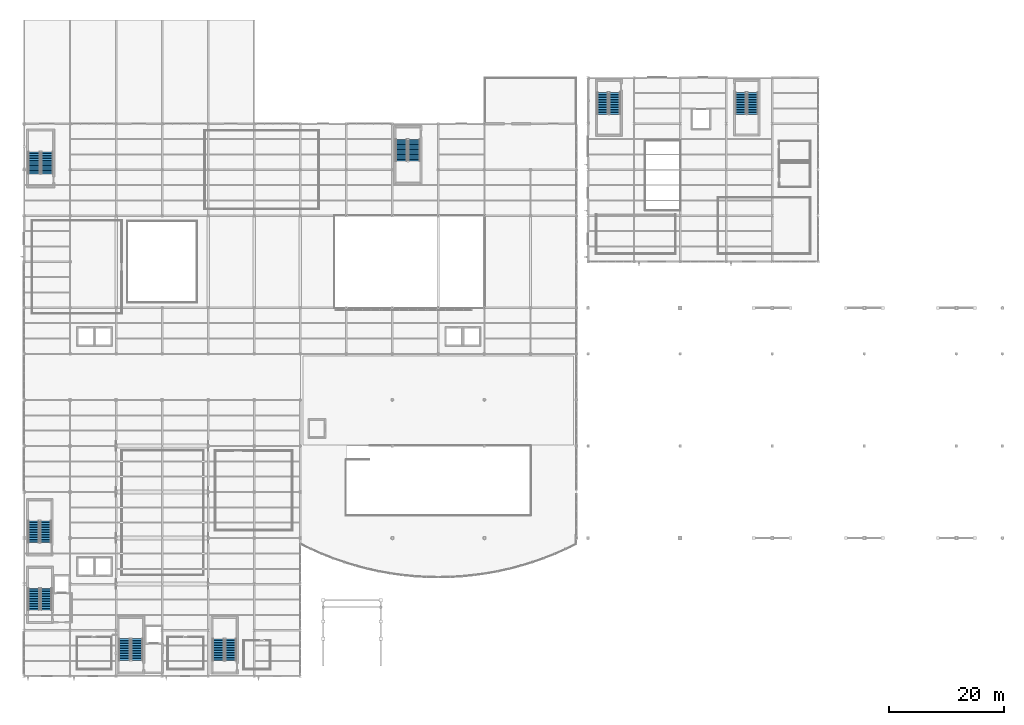
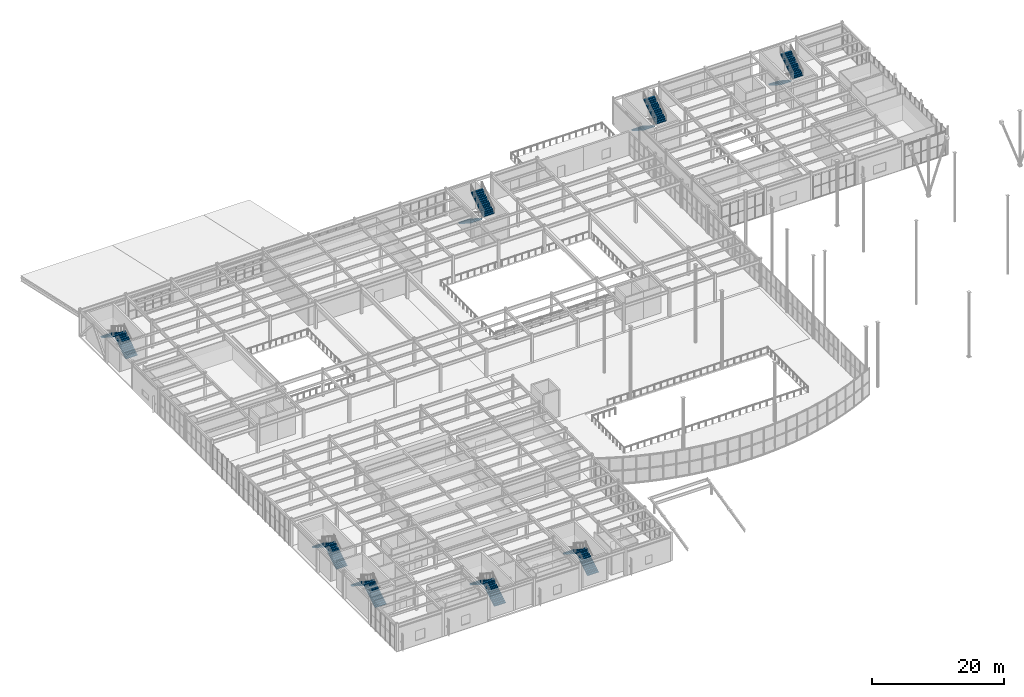
# One storey, part 61 of 77: 16 stair flights, 8 elements without a shape of their own.
"""IFC4 building model written with IfcOpenShell, lengths in metres."""

from ifc_helpers import new_model, si_unit, direction, frame, origin, place, context, subcontext, project, spatial, polyline, outline, extrude, material, type_object, element, aggregate, save


model = new_model("IFC4")

# Units and contexts
model_context = context("Model", 3, precision=1e-05, world=origin(), true_north=direction((0.0, 1.0)))
body_context = subcontext(model_context, "Body", "Model", "MODEL_VIEW")
ifc_project = project(units=[si_unit("LENGTHUNIT", "METRE"), si_unit("AREAUNIT", "SQUARE_METRE"), si_unit("VOLUMEUNIT", "CUBIC_METRE"), si_unit("PLANEANGLEUNIT", "RADIAN"), si_unit("MASSUNIT", "GRAM", prefix="KILO")], contexts=[model_context])

# Site, building, storey
site_placement = place(None, origin())
site = spatial("IfcSite", under=ifc_project, at=site_placement, CompositionType="ELEMENT")
building_placement = place(site_placement, origin())
building = spatial("IfcBuilding", under=site, at=building_placement, Name="Drelvath Fold Interchange", CompositionType="ELEMENT")
storey_placement = place(building_placement, frame((0.0, 0.0, 6.0)))
storey = spatial("IfcBuildingStorey", under=building, at=storey_placement, Name="L01", CompositionType="ELEMENT", Elevation=6.0)

# Stair, stair flights
ifc_material = material(Name="Concrete f'c 35 MPa (5000 psi)", Category="concrete")
stair_type_1 = type_object("IfcStairType", Name="STR-01", PredefinedType="HALF_TURN_STAIR", material=ifc_material)
stair_1_placement = place(storey_placement, origin())
stair_1 = element("IfcStair", 1, at=stair_1_placement, inside=storey, type_object=stair_type_1, Name="L01 Protected Exit Stair ST-01", PredefinedType="HALF_TURN_STAIR")
stair_flight_type_1 = type_object("IfcStairFlightType", Name="STF-01", PredefinedType="STRAIGHT", material=ifc_material)
stair_flight_1_placement = place(storey_placement, frame((7.844970703125, 14.5, 0.0), z_axis=(0.0, 0.0, 1.0), x_axis=(0.0, 1.0, 0.0)))
stair_flight_1 = element("IfcStairFlight", 2, at=stair_flight_1_placement, type_object=stair_flight_type_1, Name="ST-01 flight 1", NumberOfRisers=14, NumberOfTreads=13, PredefinedType="STRAIGHT", RiserHeight=0.185714286, TreadLength=0.29, context=body_context, shape_type="SweptSolid", body=[
    extrude(outline(polyline([(0.0, 0.0), (0.0, 0.185791015625), (0.2900390625, 0.185791015625), (0.2900390625, 0.371337890625), (0.580078125, 0.371337890625), (0.580078125, 0.55712890625), (0.8701171875, 0.55712890625), (0.8701171875, 0.742919921875), (1.159912109375, 0.742919921875), (1.159912109375, 0.928466796875), (1.449951171875, 0.928466796875), (1.449951171875, 1.1142578125), (1.739990234375, 1.1142578125), (1.739990234375, 1.300048828125), (2.030029296875, 1.300048828125), (2.030029296875, 1.485595703125), (2.320068359375, 1.485595703125), (2.320068359375, 1.67138671875), (2.610107421875, 1.67138671875), (2.610107421875, 1.857177734375), (2.89990234375, 1.857177734375), (2.89990234375, 2.04296875), (3.18994140625, 2.04296875), (3.18994140625, 2.228515625), (3.47998046875, 2.228515625), (3.47998046875, 2.414306640625), (3.77001953125, 2.414306640625), (3.77001953125, 2.60009765625), (3.77001953125, 2.236328125), (0.278076171875, 0.0), (0.0, 0.0)])), frame((0.0, 0.96484375, 0.0), z_axis=(0.0, -1.0, 0.0), x_axis=(1.0, 0.0, 0.0)), (0.0, 0.0, 1.0), 1.929931640625),
])
stair_flight_2_placement = place(storey_placement, frame((5.715087890625, 18.27001953125, 2.60009765625), z_axis=(0.0, 0.0, 1.0), x_axis=(0.0, -1.0, 0.0)))
stair_flight_2 = element("IfcStairFlight", 3, at=stair_flight_2_placement, type_object=stair_flight_type_1, Name="ST-01 flight 2", NumberOfRisers=14, NumberOfTreads=13, PredefinedType="STRAIGHT", RiserHeight=0.185714286, TreadLength=0.29, context=body_context, shape_type="SweptSolid", body=[
    extrude(outline(polyline([(0.0, 0.0), (0.0, 0.185791015625), (0.2900390625, 0.185791015625), (0.2900390625, 0.371337890625), (0.580078125, 0.371337890625), (0.580078125, 0.55712890625), (0.8701171875, 0.55712890625), (0.8701171875, 0.742919921875), (1.159912109375, 0.742919921875), (1.159912109375, 0.928466796875), (1.449951171875, 0.928466796875), (1.449951171875, 1.1142578125), (1.739990234375, 1.1142578125), (1.739990234375, 1.300048828125), (2.030029296875, 1.300048828125), (2.030029296875, 1.485595703125), (2.320068359375, 1.485595703125), (2.320068359375, 1.67138671875), (2.610107421875, 1.67138671875), (2.610107421875, 1.857177734375), (2.89990234375, 1.857177734375), (2.89990234375, 2.04296875), (3.18994140625, 2.04296875), (3.18994140625, 2.228515625), (3.47998046875, 2.228515625), (3.47998046875, 2.414306640625), (3.77001953125, 2.414306640625), (3.77001953125, 2.60009765625), (3.77001953125, 2.236328125), (0.278076171875, 0.0), (0.0, 0.0)])), frame((0.0, 0.96484375, 0.0), z_axis=(0.0, -1.0, 0.0), x_axis=(1.0, 0.0, 0.0)), (0.0, 0.0, 1.0), 1.929931640625),
])
aggregate(stair_1, [stair_flight_1, stair_flight_2])

stair_type_2 = type_object("IfcStairType", Name="STR-02", PredefinedType="HALF_TURN_STAIR", material=ifc_material)
stair_2_placement = place(storey_placement, origin())
stair_2 = element("IfcStair", 4, at=stair_2_placement, inside=storey, type_object=stair_type_2, Name="L01 Protected Exit Stair ST-02", PredefinedType="HALF_TURN_STAIR")
stair_flight_type_2 = type_object("IfcStairFlightType", Name="STF-02", PredefinedType="STRAIGHT", material=ifc_material)
stair_flight_3_placement = place(storey_placement, frame((7.784912109375, 26.199951171875, 0.0), z_axis=(0.0, 0.0, 1.0), x_axis=(0.0, 1.0, 0.0)))
stair_flight_3 = element("IfcStairFlight", 5, at=stair_flight_3_placement, type_object=stair_flight_type_2, Name="ST-02 flight 1", NumberOfRisers=14, NumberOfTreads=13, PredefinedType="STRAIGHT", RiserHeight=0.185714286, TreadLength=0.29, context=body_context, shape_type="SweptSolid", body=[
    extrude(outline(polyline([(0.0, 0.0), (0.0, 0.185791015625), (0.2900390625, 0.185791015625), (0.2900390625, 0.371337890625), (0.580078125, 0.371337890625), (0.580078125, 0.55712890625), (0.8701171875, 0.55712890625), (0.8701171875, 0.742919921875), (1.159912109375, 0.742919921875), (1.159912109375, 0.928466796875), (1.449951171875, 0.928466796875), (1.449951171875, 1.1142578125), (1.739990234375, 1.1142578125), (1.739990234375, 1.300048828125), (2.030029296875, 1.300048828125), (2.030029296875, 1.485595703125), (2.320068359375, 1.485595703125), (2.320068359375, 1.67138671875), (2.610107421875, 1.67138671875), (2.610107421875, 1.857177734375), (2.89990234375, 1.857177734375), (2.89990234375, 2.04296875), (3.18994140625, 2.04296875), (3.18994140625, 2.228515625), (3.47998046875, 2.228515625), (3.47998046875, 2.414306640625), (3.77001953125, 2.414306640625), (3.77001953125, 2.60009765625), (3.77001953125, 2.236328125), (0.278076171875, 0.0), (0.0, 0.0)])), frame((0.0, 0.94482421875, 0.0), z_axis=(0.0, -1.0, 0.0), x_axis=(1.0, 0.0, 0.0)), (0.0, 0.0, 1.0), 1.889892578125),
])
stair_flight_4_placement = place(storey_placement, frame((5.695068359375, 29.969970703125, 2.60009765625), z_axis=(0.0, 0.0, 1.0), x_axis=(0.0, -1.0, 0.0)))
stair_flight_4 = element("IfcStairFlight", 6, at=stair_flight_4_placement, type_object=stair_flight_type_2, Name="ST-02 flight 2", NumberOfRisers=14, NumberOfTreads=13, PredefinedType="STRAIGHT", RiserHeight=0.185714286, TreadLength=0.29, context=body_context, shape_type="SweptSolid", body=[
    extrude(outline(polyline([(0.0, 0.0), (0.0, 0.185791015625), (0.2900390625, 0.185791015625), (0.2900390625, 0.371337890625), (0.580078125, 0.371337890625), (0.580078125, 0.55712890625), (0.8701171875, 0.55712890625), (0.8701171875, 0.742919921875), (1.159912109375, 0.742919921875), (1.159912109375, 0.928466796875), (1.449951171875, 0.928466796875), (1.449951171875, 1.1142578125), (1.739990234375, 1.1142578125), (1.739990234375, 1.300048828125), (2.030029296875, 1.300048828125), (2.030029296875, 1.485595703125), (2.320068359375, 1.485595703125), (2.320068359375, 1.67138671875), (2.610107421875, 1.67138671875), (2.610107421875, 1.857177734375), (2.89990234375, 1.857177734375), (2.89990234375, 2.04296875), (3.18994140625, 2.04296875), (3.18994140625, 2.228515625), (3.47998046875, 2.228515625), (3.47998046875, 2.414306640625), (3.77001953125, 2.414306640625), (3.77001953125, 2.60009765625), (3.77001953125, 2.236328125), (0.278076171875, 0.0), (0.0, 0.0)])), frame((0.0, 0.94482421875, 0.0), z_axis=(0.0, -1.0, 0.0), x_axis=(1.0, 0.0, 0.0)), (0.0, 0.0, 1.0), 1.889892578125),
])
aggregate(stair_2, [stair_flight_3, stair_flight_4])

stair_type_3 = type_object("IfcStairType", Name="STR-03", PredefinedType="HALF_TURN_STAIR", material=ifc_material)
stair_3_placement = place(storey_placement, origin())
stair_3 = element("IfcStair", 7, at=stair_3_placement, inside=storey, type_object=stair_type_3, Name="L01 Protected Exit Stair ST-03", PredefinedType="HALF_TURN_STAIR")
stair_flight_type_3 = type_object("IfcStairFlightType", Name="STF-03", PredefinedType="STRAIGHT", material=ifc_material)
stair_flight_5_placement = place(storey_placement, frame((23.669921875, 5.75, 0.0), z_axis=(0.0, 0.0, 1.0), x_axis=(0.0, 1.0, 0.0)))
stair_flight_5 = element("IfcStairFlight", 8, at=stair_flight_5_placement, type_object=stair_flight_type_3, Name="ST-03 flight 1", NumberOfRisers=14, NumberOfTreads=13, PredefinedType="STRAIGHT", RiserHeight=0.185714286, TreadLength=0.29, context=body_context, shape_type="SweptSolid", body=[
    extrude(outline(polyline([(0.0, 0.0), (0.0, 0.185791015625), (0.2900390625, 0.185791015625), (0.2900390625, 0.371337890625), (0.580078125, 0.371337890625), (0.580078125, 0.55712890625), (0.8701171875, 0.55712890625), (0.8701171875, 0.742919921875), (1.159912109375, 0.742919921875), (1.159912109375, 0.928466796875), (1.449951171875, 0.928466796875), (1.449951171875, 1.1142578125), (1.739990234375, 1.1142578125), (1.739990234375, 1.300048828125), (2.030029296875, 1.300048828125), (2.030029296875, 1.485595703125), (2.320068359375, 1.485595703125), (2.320068359375, 1.67138671875), (2.610107421875, 1.67138671875), (2.610107421875, 1.857177734375), (2.89990234375, 1.857177734375), (2.89990234375, 2.04296875), (3.18994140625, 2.04296875), (3.18994140625, 2.228515625), (3.47998046875, 2.228515625), (3.47998046875, 2.414306640625), (3.77001953125, 2.414306640625), (3.77001953125, 2.60009765625), (3.77001953125, 2.236328125), (0.278076171875, 0.0), (0.0, 0.0)])), frame((0.0, 0.989990234375, 0.0), z_axis=(0.0, -1.0, 0.0), x_axis=(1.0, 0.0, 0.0)), (0.0, 0.0, 1.0), 1.97998046875),
])
stair_flight_6_placement = place(storey_placement, frame((21.489990234375, 9.52001953125, 2.60009765625), z_axis=(0.0, 0.0, 1.0), x_axis=(0.0, -1.0, 0.0)))
stair_flight_6 = element("IfcStairFlight", 9, at=stair_flight_6_placement, type_object=stair_flight_type_3, Name="ST-03 flight 2", NumberOfRisers=14, NumberOfTreads=13, PredefinedType="STRAIGHT", RiserHeight=0.185714286, TreadLength=0.29, context=body_context, shape_type="SweptSolid", body=[
    extrude(outline(polyline([(0.0, 0.0), (0.0, 0.185791015625), (0.2900390625, 0.185791015625), (0.2900390625, 0.371337890625), (0.580078125, 0.371337890625), (0.580078125, 0.55712890625), (0.8701171875, 0.55712890625), (0.8701171875, 0.742919921875), (1.159912109375, 0.742919921875), (1.159912109375, 0.928466796875), (1.449951171875, 0.928466796875), (1.449951171875, 1.1142578125), (1.739990234375, 1.1142578125), (1.739990234375, 1.300048828125), (2.030029296875, 1.300048828125), (2.030029296875, 1.485595703125), (2.320068359375, 1.485595703125), (2.320068359375, 1.67138671875), (2.610107421875, 1.67138671875), (2.610107421875, 1.857177734375), (2.89990234375, 1.857177734375), (2.89990234375, 2.04296875), (3.18994140625, 2.04296875), (3.18994140625, 2.228515625), (3.47998046875, 2.228515625), (3.47998046875, 2.414306640625), (3.77001953125, 2.414306640625), (3.77001953125, 2.60009765625), (3.77001953125, 2.236328125), (0.278076171875, 0.0), (0.0, 0.0)])), frame((0.0, 0.989990234375, 0.0), z_axis=(0.0, -1.0, 0.0), x_axis=(1.0, 0.0, 0.0)), (0.0, 0.0, 1.0), 1.97998046875),
])
aggregate(stair_3, [stair_flight_5, stair_flight_6])

stair_type_4 = type_object("IfcStairType", Name="STR-04", PredefinedType="HALF_TURN_STAIR", material=ifc_material)
stair_4_placement = place(storey_placement, origin())
stair_4 = element("IfcStair", 10, at=stair_4_placement, inside=storey, type_object=stair_type_4, Name="L01 Protected Exit Stair ST-04", PredefinedType="HALF_TURN_STAIR")
stair_flight_type_4 = type_object("IfcStairFlightType", Name="STF-04", PredefinedType="STRAIGHT", material=ifc_material)
stair_flight_7_placement = place(storey_placement, frame((39.925048828125, 5.699951171875, 0.0), z_axis=(0.0, 0.0, 1.0), x_axis=(0.0, 1.0, 0.0)))
stair_flight_7 = element("IfcStairFlight", 11, at=stair_flight_7_placement, type_object=stair_flight_type_4, Name="ST-04 flight 1", NumberOfRisers=14, NumberOfTreads=13, PredefinedType="STRAIGHT", RiserHeight=0.185714286, TreadLength=0.29, context=body_context, shape_type="SweptSolid", body=[
    extrude(outline(polyline([(0.0, 0.0), (0.0, 0.185791015625), (0.2900390625, 0.185791015625), (0.2900390625, 0.371337890625), (0.580078125, 0.371337890625), (0.580078125, 0.55712890625), (0.8701171875, 0.55712890625), (0.8701171875, 0.742919921875), (1.159912109375, 0.742919921875), (1.159912109375, 0.928466796875), (1.449951171875, 0.928466796875), (1.449951171875, 1.1142578125), (1.739990234375, 1.1142578125), (1.739990234375, 1.300048828125), (2.030029296875, 1.300048828125), (2.030029296875, 1.485595703125), (2.320068359375, 1.485595703125), (2.320068359375, 1.67138671875), (2.610107421875, 1.67138671875), (2.610107421875, 1.857177734375), (2.89990234375, 1.857177734375), (2.89990234375, 2.04296875), (3.18994140625, 2.04296875), (3.18994140625, 2.228515625), (3.47998046875, 2.228515625), (3.47998046875, 2.414306640625), (3.77001953125, 2.414306640625), (3.77001953125, 2.60009765625), (3.77001953125, 2.236328125), (0.278076171875, 0.0), (0.0, 0.0)])), frame((0.0, 0.97509765625, 0.0), z_axis=(0.0, -1.0, 0.0), x_axis=(1.0, 0.0, 0.0)), (0.0, 0.0, 1.0), 1.949951171875),
])
stair_flight_8_placement = place(storey_placement, frame((37.77490234375, 9.469970703125, 2.60009765625), z_axis=(0.0, 0.0, 1.0), x_axis=(0.0, -1.0, 0.0)))
stair_flight_8 = element("IfcStairFlight", 12, at=stair_flight_8_placement, type_object=stair_flight_type_4, Name="ST-04 flight 2", NumberOfRisers=14, NumberOfTreads=13, PredefinedType="STRAIGHT", RiserHeight=0.185714286, TreadLength=0.29, context=body_context, shape_type="SweptSolid", body=[
    extrude(outline(polyline([(0.0, 0.0), (0.0, 0.185791015625), (0.2900390625, 0.185791015625), (0.2900390625, 0.371337890625), (0.580078125, 0.371337890625), (0.580078125, 0.55712890625), (0.8701171875, 0.55712890625), (0.8701171875, 0.742919921875), (1.159912109375, 0.742919921875), (1.159912109375, 0.928466796875), (1.449951171875, 0.928466796875), (1.449951171875, 1.1142578125), (1.739990234375, 1.1142578125), (1.739990234375, 1.300048828125), (2.030029296875, 1.300048828125), (2.030029296875, 1.485595703125), (2.320068359375, 1.485595703125), (2.320068359375, 1.67138671875), (2.610107421875, 1.67138671875), (2.610107421875, 1.857177734375), (2.89990234375, 1.857177734375), (2.89990234375, 2.04296875), (3.18994140625, 2.04296875), (3.18994140625, 2.228515625), (3.47998046875, 2.228515625), (3.47998046875, 2.414306640625), (3.77001953125, 2.414306640625), (3.77001953125, 2.60009765625), (3.77001953125, 2.236328125), (0.278076171875, 0.0), (0.0, 0.0)])), frame((0.0, 0.97509765625, 0.0), z_axis=(0.0, -1.0, 0.0), x_axis=(1.0, 0.0, 0.0)), (0.0, 0.0, 1.0), 1.949951171875),
])
aggregate(stair_4, [stair_flight_7, stair_flight_8])

stair_type_5 = type_object("IfcStairType", Name="STR-05", PredefinedType="HALF_TURN_STAIR", material=ifc_material)
stair_5_placement = place(storey_placement, origin())
stair_5 = element("IfcStair", 13, at=stair_5_placement, inside=storey, type_object=stair_type_5, Name="L01 Protected Exit Stair ST-05", PredefinedType="HALF_TURN_STAIR")
stair_flight_type_5 = type_object("IfcStairFlightType", Name="STF-05", PredefinedType="STRAIGHT", material=ifc_material)
stair_flight_9_placement = place(storey_placement, frame((8.010009765625, 90.300048828125, 0.0), z_axis=(0.0, 0.0, 1.0), x_axis=(0.0, 1.0, 0.0)))
stair_flight_9 = element("IfcStairFlight", 14, at=stair_flight_9_placement, type_object=stair_flight_type_5, Name="ST-05 flight 1", NumberOfRisers=14, NumberOfTreads=13, PredefinedType="STRAIGHT", RiserHeight=0.185714286, TreadLength=0.29, context=body_context, shape_type="SweptSolid", body=[
    extrude(outline(polyline([(0.0, 0.0), (0.0, 0.185791015625), (0.2900390625, 0.185791015625), (0.2900390625, 0.371337890625), (0.580078125, 0.371337890625), (0.580078125, 0.55712890625), (0.8701171875, 0.55712890625), (0.8701171875, 0.742919921875), (1.159912109375, 0.742919921875), (1.159912109375, 0.928466796875), (1.449951171875, 0.928466796875), (1.449951171875, 1.1142578125), (1.739990234375, 1.1142578125), (1.739990234375, 1.300048828125), (2.030029296875, 1.300048828125), (2.030029296875, 1.485595703125), (2.320068359375, 1.485595703125), (2.320068359375, 1.67138671875), (2.610107421875, 1.67138671875), (2.610107421875, 1.857177734375), (2.89990234375, 1.857177734375), (2.89990234375, 2.04296875), (3.18994140625, 2.04296875), (3.18994140625, 2.228515625), (3.47998046875, 2.228515625), (3.47998046875, 2.414306640625), (3.77001953125, 2.414306640625), (3.77001953125, 2.60009765625), (3.77001953125, 2.236328125), (0.278076171875, 0.0), (0.0, 0.0)])), frame((0.0, 1.02001953125, 0.0), z_axis=(0.0, -1.0, 0.0), x_axis=(1.0, 0.0, 0.0)), (0.0, 0.0, 1.0), 2.0400390625),
])
stair_flight_10_placement = place(storey_placement, frame((5.77001953125, 94.070068359375, 2.60009765625), z_axis=(0.0, 0.0, 1.0), x_axis=(0.0, -1.0, 0.0)))
stair_flight_10 = element("IfcStairFlight", 15, at=stair_flight_10_placement, type_object=stair_flight_type_5, Name="ST-05 flight 2", NumberOfRisers=14, NumberOfTreads=13, PredefinedType="STRAIGHT", RiserHeight=0.185714286, TreadLength=0.29, context=body_context, shape_type="SweptSolid", body=[
    extrude(outline(polyline([(0.0, 0.0), (0.0, 0.185791015625), (0.2900390625, 0.185791015625), (0.2900390625, 0.371337890625), (0.580078125, 0.371337890625), (0.580078125, 0.55712890625), (0.8701171875, 0.55712890625), (0.8701171875, 0.742919921875), (1.159912109375, 0.742919921875), (1.159912109375, 0.928466796875), (1.449951171875, 0.928466796875), (1.449951171875, 1.1142578125), (1.739990234375, 1.1142578125), (1.739990234375, 1.300048828125), (2.030029296875, 1.300048828125), (2.030029296875, 1.485595703125), (2.320068359375, 1.485595703125), (2.320068359375, 1.67138671875), (2.610107421875, 1.67138671875), (2.610107421875, 1.857177734375), (2.89990234375, 1.857177734375), (2.89990234375, 2.04296875), (3.18994140625, 2.04296875), (3.18994140625, 2.228515625), (3.47998046875, 2.228515625), (3.47998046875, 2.414306640625), (3.77001953125, 2.414306640625), (3.77001953125, 2.60009765625), (3.77001953125, 2.236328125), (0.278076171875, 0.0), (0.0, 0.0)])), frame((0.0, 1.02001953125, 0.0), z_axis=(0.0, -1.0, 0.0), x_axis=(1.0, 0.0, 0.0)), (0.0, 0.0, 1.0), 2.0400390625),
])
aggregate(stair_5, [stair_flight_9, stair_flight_10])

stair_type_6 = type_object("IfcStairType", Name="STR-06", PredefinedType="HALF_TURN_STAIR", material=ifc_material)
stair_6_placement = place(storey_placement, origin())
stair_6 = element("IfcStair", 16, at=stair_6_placement, inside=storey, type_object=stair_type_6, Name="L01 Protected Exit Stair ST-06", PredefinedType="HALF_TURN_STAIR")
stair_flight_type_6 = type_object("IfcStairFlightType", Name="STF-06", PredefinedType="STRAIGHT", material=ifc_material)
stair_flight_11_placement = place(storey_placement, frame((69.60498046875, 96.25, 0.0), z_axis=(0.0, 0.0, 1.0), x_axis=(0.0, -1.0, 0.0)))
stair_flight_11 = element("IfcStairFlight", 17, at=stair_flight_11_placement, type_object=stair_flight_type_6, Name="ST-06 flight 1", NumberOfRisers=14, NumberOfTreads=13, PredefinedType="STRAIGHT", RiserHeight=0.185714286, TreadLength=0.29, context=body_context, shape_type="SweptSolid", body=[
    extrude(outline(polyline([(0.0, 0.0), (0.0, 0.185791015625), (0.2900390625, 0.185791015625), (0.2900390625, 0.371337890625), (0.580078125, 0.371337890625), (0.580078125, 0.55712890625), (0.8701171875, 0.55712890625), (0.8701171875, 0.742919921875), (1.159912109375, 0.742919921875), (1.159912109375, 0.928466796875), (1.449951171875, 0.928466796875), (1.449951171875, 1.1142578125), (1.739990234375, 1.1142578125), (1.739990234375, 1.300048828125), (2.030029296875, 1.300048828125), (2.030029296875, 1.485595703125), (2.320068359375, 1.485595703125), (2.320068359375, 1.67138671875), (2.610107421875, 1.67138671875), (2.610107421875, 1.857177734375), (2.89990234375, 1.857177734375), (2.89990234375, 2.04296875), (3.18994140625, 2.04296875), (3.18994140625, 2.228515625), (3.47998046875, 2.228515625), (3.47998046875, 2.414306640625), (3.77001953125, 2.414306640625), (3.77001953125, 2.60009765625), (3.77001953125, 2.236328125), (0.278076171875, 0.0), (0.0, 0.0)])), frame((0.0, 1.0048828125, 0.0), z_axis=(0.0, -1.0, 0.0), x_axis=(1.0, 0.0, 0.0)), (0.0, 0.0, 1.0), 2.010009765625),
])
stair_flight_12_placement = place(storey_placement, frame((71.81494140625, 92.47998046875, 2.60009765625), z_axis=(0.0, 0.0, 1.0), x_axis=(0.0, 1.0, 0.0)))
stair_flight_12 = element("IfcStairFlight", 18, at=stair_flight_12_placement, type_object=stair_flight_type_6, Name="ST-06 flight 2", NumberOfRisers=14, NumberOfTreads=13, PredefinedType="STRAIGHT", RiserHeight=0.185714286, TreadLength=0.29, context=body_context, shape_type="SweptSolid", body=[
    extrude(outline(polyline([(0.0, 0.0), (0.0, 0.185791015625), (0.2900390625, 0.185791015625), (0.2900390625, 0.371337890625), (0.580078125, 0.371337890625), (0.580078125, 0.55712890625), (0.8701171875, 0.55712890625), (0.8701171875, 0.742919921875), (1.159912109375, 0.742919921875), (1.159912109375, 0.928466796875), (1.449951171875, 0.928466796875), (1.449951171875, 1.1142578125), (1.739990234375, 1.1142578125), (1.739990234375, 1.300048828125), (2.030029296875, 1.300048828125), (2.030029296875, 1.485595703125), (2.320068359375, 1.485595703125), (2.320068359375, 1.67138671875), (2.610107421875, 1.67138671875), (2.610107421875, 1.857177734375), (2.89990234375, 1.857177734375), (2.89990234375, 2.04296875), (3.18994140625, 2.04296875), (3.18994140625, 2.228515625), (3.47998046875, 2.228515625), (3.47998046875, 2.414306640625), (3.77001953125, 2.414306640625), (3.77001953125, 2.60009765625), (3.77001953125, 2.236328125), (0.278076171875, 0.0), (0.0, 0.0)])), frame((0.0, 1.0048828125, 0.0), z_axis=(0.0, -1.0, 0.0), x_axis=(1.0, 0.0, 0.0)), (0.0, 0.0, 1.0), 2.010009765625),
])
aggregate(stair_6, [stair_flight_11, stair_flight_12])

stair_type_7 = type_object("IfcStairType", Name="STR-07", PredefinedType="HALF_TURN_STAIR", material=ifc_material)
stair_7_placement = place(storey_placement, origin())
stair_7 = element("IfcStair", 19, at=stair_7_placement, inside=storey, type_object=stair_type_7, Name="L01 Protected Exit Stair ST-07", PredefinedType="HALF_TURN_STAIR")
stair_flight_type_7 = type_object("IfcStairFlightType", Name="STF-07", PredefinedType="STRAIGHT", material=ifc_material)
stair_flight_13_placement = place(storey_placement, frame((104.554931640625, 104.39990234375, 0.0), z_axis=(0.0, 0.0, 1.0), x_axis=(0.0, -1.0, 0.0)))
stair_flight_13 = element("IfcStairFlight", 20, at=stair_flight_13_placement, type_object=stair_flight_type_7, Name="ST-07 flight 1", NumberOfRisers=14, NumberOfTreads=13, PredefinedType="STRAIGHT", RiserHeight=0.185714286, TreadLength=0.29, context=body_context, shape_type="SweptSolid", body=[
    extrude(outline(polyline([(0.0, 0.0), (0.0, 0.185791015625), (0.2900390625, 0.185791015625), (0.2900390625, 0.371337890625), (0.580078125, 0.371337890625), (0.580078125, 0.55712890625), (0.8701171875, 0.55712890625), (0.8701171875, 0.742919921875), (1.159912109375, 0.742919921875), (1.159912109375, 0.928466796875), (1.449951171875, 0.928466796875), (1.449951171875, 1.1142578125), (1.739990234375, 1.1142578125), (1.739990234375, 1.300048828125), (2.030029296875, 1.300048828125), (2.030029296875, 1.485595703125), (2.320068359375, 1.485595703125), (2.320068359375, 1.67138671875), (2.610107421875, 1.67138671875), (2.610107421875, 1.857177734375), (2.89990234375, 1.857177734375), (2.89990234375, 2.04296875), (3.18994140625, 2.04296875), (3.18994140625, 2.228515625), (3.47998046875, 2.228515625), (3.47998046875, 2.414306640625), (3.77001953125, 2.414306640625), (3.77001953125, 2.60009765625), (3.77001953125, 2.236328125), (0.278076171875, 0.0), (0.0, 0.0)])), frame((0.0, 0.955078125, 0.0), z_axis=(0.0, -1.0, 0.0), x_axis=(1.0, 0.0, 0.0)), (0.0, 0.0, 1.0), 1.909912109375),
])
stair_flight_14_placement = place(storey_placement, frame((106.6650390625, 100.6298828125, 2.60009765625), z_axis=(0.0, 0.0, 1.0), x_axis=(0.0, 1.0, 0.0)))
stair_flight_14 = element("IfcStairFlight", 21, at=stair_flight_14_placement, type_object=stair_flight_type_7, Name="ST-07 flight 2", NumberOfRisers=14, NumberOfTreads=13, PredefinedType="STRAIGHT", RiserHeight=0.185714286, TreadLength=0.29, context=body_context, shape_type="SweptSolid", body=[
    extrude(outline(polyline([(0.0, 0.0), (0.0, 0.185791015625), (0.2900390625, 0.185791015625), (0.2900390625, 0.371337890625), (0.580078125, 0.371337890625), (0.580078125, 0.55712890625), (0.8701171875, 0.55712890625), (0.8701171875, 0.742919921875), (1.159912109375, 0.742919921875), (1.159912109375, 0.928466796875), (1.449951171875, 0.928466796875), (1.449951171875, 1.1142578125), (1.739990234375, 1.1142578125), (1.739990234375, 1.300048828125), (2.030029296875, 1.300048828125), (2.030029296875, 1.485595703125), (2.320068359375, 1.485595703125), (2.320068359375, 1.67138671875), (2.610107421875, 1.67138671875), (2.610107421875, 1.857177734375), (2.89990234375, 1.857177734375), (2.89990234375, 2.04296875), (3.18994140625, 2.04296875), (3.18994140625, 2.228515625), (3.47998046875, 2.228515625), (3.47998046875, 2.414306640625), (3.77001953125, 2.414306640625), (3.77001953125, 2.60009765625), (3.77001953125, 2.236328125), (0.278076171875, 0.0), (0.0, 0.0)])), frame((0.0, 0.955078125, 0.0), z_axis=(0.0, -1.0, 0.0), x_axis=(1.0, 0.0, 0.0)), (0.0, 0.0, 1.0), 1.909912109375),
])
aggregate(stair_7, [stair_flight_13, stair_flight_14])

stair_type_8 = type_object("IfcStairType", Name="STR-08", PredefinedType="HALF_TURN_STAIR", material=ifc_material)
stair_8_placement = place(storey_placement, origin())
stair_8 = element("IfcStair", 22, at=stair_8_placement, inside=storey, type_object=stair_type_8, Name="L01 Protected Exit Stair ST-08", PredefinedType="HALF_TURN_STAIR")
stair_flight_type_8 = type_object("IfcStairFlightType", Name="STF-08", PredefinedType="STRAIGHT", material=ifc_material)
stair_flight_15_placement = place(storey_placement, frame((128.534912109375, 104.39990234375, 0.0), z_axis=(0.0, 0.0, 1.0), x_axis=(0.0, -1.0, 0.0)))
stair_flight_15 = element("IfcStairFlight", 23, at=stair_flight_15_placement, type_object=stair_flight_type_8, Name="ST-08 flight 1", NumberOfRisers=14, NumberOfTreads=13, PredefinedType="STRAIGHT", RiserHeight=0.185714286, TreadLength=0.29, context=body_context, shape_type="SweptSolid", body=[
    extrude(outline(polyline([(0.0, 0.0), (0.0, 0.185791015625), (0.2900390625, 0.185791015625), (0.2900390625, 0.371337890625), (0.580078125, 0.371337890625), (0.580078125, 0.55712890625), (0.8701171875, 0.55712890625), (0.8701171875, 0.742919921875), (1.159912109375, 0.742919921875), (1.159912109375, 0.928466796875), (1.449951171875, 0.928466796875), (1.449951171875, 1.1142578125), (1.739990234375, 1.1142578125), (1.739990234375, 1.300048828125), (2.030029296875, 1.300048828125), (2.030029296875, 1.485595703125), (2.320068359375, 1.485595703125), (2.320068359375, 1.67138671875), (2.610107421875, 1.67138671875), (2.610107421875, 1.857177734375), (2.89990234375, 1.857177734375), (2.89990234375, 2.04296875), (3.18994140625, 2.04296875), (3.18994140625, 2.228515625), (3.47998046875, 2.228515625), (3.47998046875, 2.414306640625), (3.77001953125, 2.414306640625), (3.77001953125, 2.60009765625), (3.77001953125, 2.236328125), (0.278076171875, 0.0), (0.0, 0.0)])), frame((0.0, 0.93505859375, 0.0), z_axis=(0.0, -1.0, 0.0), x_axis=(1.0, 0.0, 0.0)), (0.0, 0.0, 1.0), 1.8701171875),
])
stair_flight_16_placement = place(storey_placement, frame((130.60498046875, 100.6298828125, 2.60009765625), z_axis=(0.0, 0.0, 1.0), x_axis=(0.0, 1.0, 0.0)))
stair_flight_16 = element("IfcStairFlight", 24, at=stair_flight_16_placement, type_object=stair_flight_type_8, Name="ST-08 flight 2", NumberOfRisers=14, NumberOfTreads=13, PredefinedType="STRAIGHT", RiserHeight=0.185714286, TreadLength=0.29, context=body_context, shape_type="SweptSolid", body=[
    extrude(outline(polyline([(0.0, 0.0), (0.0, 0.185791015625), (0.2900390625, 0.185791015625), (0.2900390625, 0.371337890625), (0.580078125, 0.371337890625), (0.580078125, 0.55712890625), (0.8701171875, 0.55712890625), (0.8701171875, 0.742919921875), (1.159912109375, 0.742919921875), (1.159912109375, 0.928466796875), (1.449951171875, 0.928466796875), (1.449951171875, 1.1142578125), (1.739990234375, 1.1142578125), (1.739990234375, 1.300048828125), (2.030029296875, 1.300048828125), (2.030029296875, 1.485595703125), (2.320068359375, 1.485595703125), (2.320068359375, 1.67138671875), (2.610107421875, 1.67138671875), (2.610107421875, 1.857177734375), (2.89990234375, 1.857177734375), (2.89990234375, 2.04296875), (3.18994140625, 2.04296875), (3.18994140625, 2.228515625), (3.47998046875, 2.228515625), (3.47998046875, 2.414306640625), (3.77001953125, 2.414306640625), (3.77001953125, 2.60009765625), (3.77001953125, 2.236328125), (0.278076171875, 0.0), (0.0, 0.0)])), frame((0.0, 0.93505859375, 0.0), z_axis=(0.0, -1.0, 0.0), x_axis=(1.0, 0.0, 0.0)), (0.0, 0.0, 1.0), 1.8701171875),
])
aggregate(stair_8, [stair_flight_15, stair_flight_16])

save(model, "model.ifc")
